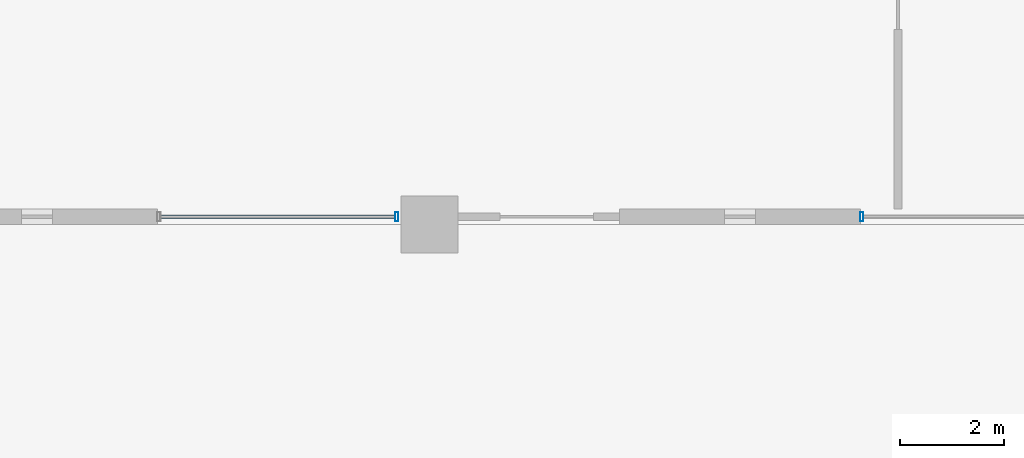
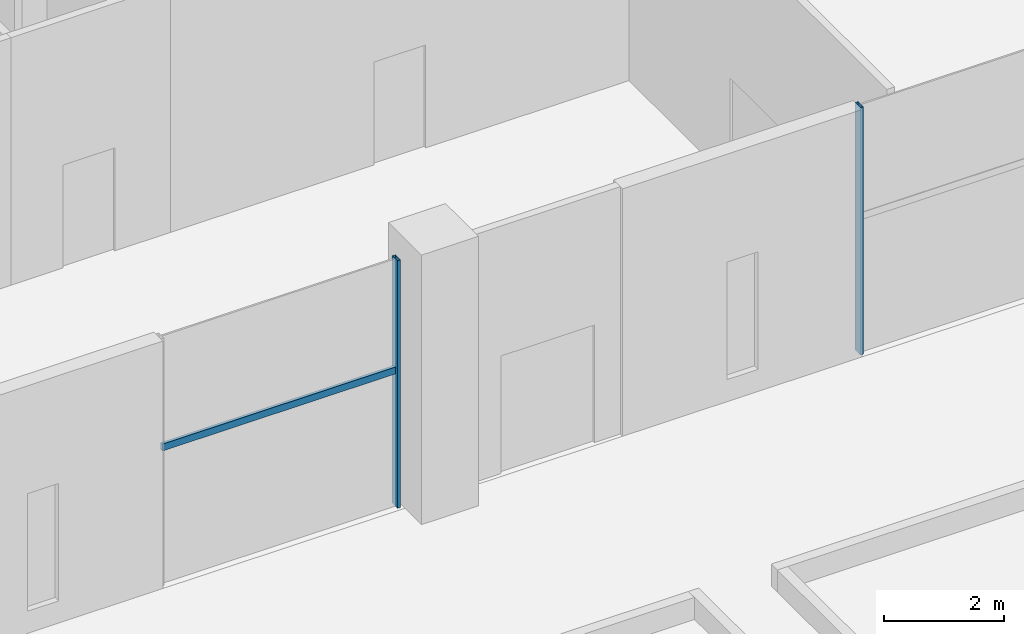
# One storey, part 5 of 47: 3 members, 2 elements without a shape of their own.
"""IFC4 building model written with IfcOpenShell, lengths in metres."""

from ifc_helpers import new_model, si_unit, direction, frame, origin, origin_2d, place, context, subcontext, project, spatial, hollow_rectangle, extrude, material, material_profile, profile_set, type_object, element, aggregate, save


model = new_model("IFC4")

# Units and contexts
model_context = context("Model", 3, precision=1e-05, world=origin(), true_north=direction((0.0, 1.0)))
body_context = subcontext(model_context, "Body", "Model", "MODEL_VIEW")
ifc_project = project(units=[si_unit("LENGTHUNIT", "METRE"), si_unit("AREAUNIT", "SQUARE_METRE"), si_unit("VOLUMEUNIT", "CUBIC_METRE"), si_unit("PLANEANGLEUNIT", "RADIAN"), si_unit("MASSUNIT", "GRAM", prefix="KILO")], contexts=[model_context])

# Site, building, storey
site_placement = place(None, origin())
site = spatial("IfcSite", under=ifc_project, at=site_placement, CompositionType="ELEMENT")
building_placement = place(site_placement, origin())
building = spatial("IfcBuilding", under=site, at=building_placement, Name="Altepetl Exchange Towers", CompositionType="ELEMENT")
storey_placement = place(building_placement, frame((0.0, 0.0, 6.0)))
storey = spatial("IfcBuildingStorey", under=building, at=storey_placement, Name="L01 Retail podium", CompositionType="ELEMENT", Elevation=6.0)

# Curtain wall, member
ifc_material_1 = material(Name="Aluminium 6063-T6 glazing", Category="aluminium")
curtain_wall_type = type_object("IfcCurtainWallType", Name="Podium storefront system", PredefinedType="NOTDEFINED", material=ifc_material_1)
curtain_wall_1_placement = place(storey_placement, origin())
curtain_wall_1 = element("IfcCurtainWall", 1, at=curtain_wall_1_placement, inside=storey, type_object=curtain_wall_type, Name="CW5 run", PredefinedType="NOTDEFINED")
ifc_material_2 = material(Name="Aluminium 6063-T6", Category="aluminium")
ifc_material_profile_1 = material_profile(ifc_material_2, hollow_rectangle(XDim=0.06005859375, YDim=0.175048828125, WallThickness=0.0029296875, at=origin_2d()), Name="Mullion 60x175 aluminium")
ifc_profile_set_1 = profile_set([ifc_material_profile_1], Name="Aluminium 6063-T6")
member_type_1 = type_object("IfcMemberType", Name="Mullion 60x175 aluminium", PredefinedType="MULLION", material=ifc_profile_set_1)
member_1_placement = place(storey_placement, frame((62.3701171875, 9.14990234375, 0.0)))
member_1 = element("IfcMember", 2, at=member_1_placement, type_object=member_type_1, Name="MU4 mullion", PredefinedType="MULLION", context=body_context, shape_type="SweptSolid", body=[
    extrude(hollow_rectangle(XDim=0.06005859375, YDim=0.175048828125, WallThickness=0.0029296875, at=origin_2d()), origin(), (0.0, 0.0, 1.0), 5.050048828125),
])

curtain_wall_2_placement = place(storey_placement, origin())
curtain_wall_2 = element("IfcCurtainWall", 3, at=curtain_wall_2_placement, inside=storey, type_object=curtain_wall_type, Name="CW5 run", PredefinedType="NOTDEFINED")
member_2_placement = place(storey_placement, frame((71.304931640625, 9.14990234375, 0.0)))
member_2 = element("IfcMember", 4, at=member_2_placement, type_object=member_type_1, Name="MU4 mullion", PredefinedType="MULLION", context=body_context, shape_type="SweptSolid", body=[
    extrude(hollow_rectangle(XDim=0.06005859375, YDim=0.175048828125, WallThickness=0.0029296875, at=origin_2d()), origin(), (0.0, 0.0, 1.0), 5.050048828125),
])
aggregate(curtain_wall_2, [member_2])

# Member
ifc_material_profile_2 = material_profile(ifc_material_2, hollow_rectangle(XDim=0.06005859375, YDim=0.139892578125, WallThickness=0.0029296875, at=origin_2d()), Name="Transom 60x140 aluminium")
ifc_profile_set_2 = profile_set([ifc_material_profile_2], Name="Aluminium 6063-T6")
member_type_2 = type_object("IfcMemberType", Name="Transom 60x140 aluminium", PredefinedType="USERDEFINED", material=ifc_profile_set_2)
member_3_placement = place(storey_placement, frame((57.8349609375, 9.14990234375, 2.780029296875), z_axis=(1.0, 0.0, 0.0), x_axis=(0.0, 1.0, 0.0)))
member_3 = element("IfcMember", 5, at=member_3_placement, type_object=member_type_2, Name="TR3 transom", ObjectType="TRANSOM", PredefinedType="USERDEFINED", context=body_context, shape_type="SweptSolid", body=[
    extrude(hollow_rectangle(XDim=0.06005859375, YDim=0.139892578125, WallThickness=0.0029296875, at=origin_2d()), origin(), (0.0, 0.0, 1.0), 4.505126953125),
])

aggregate(curtain_wall_1, [member_1, member_3])

save(model, "model.ifc")
